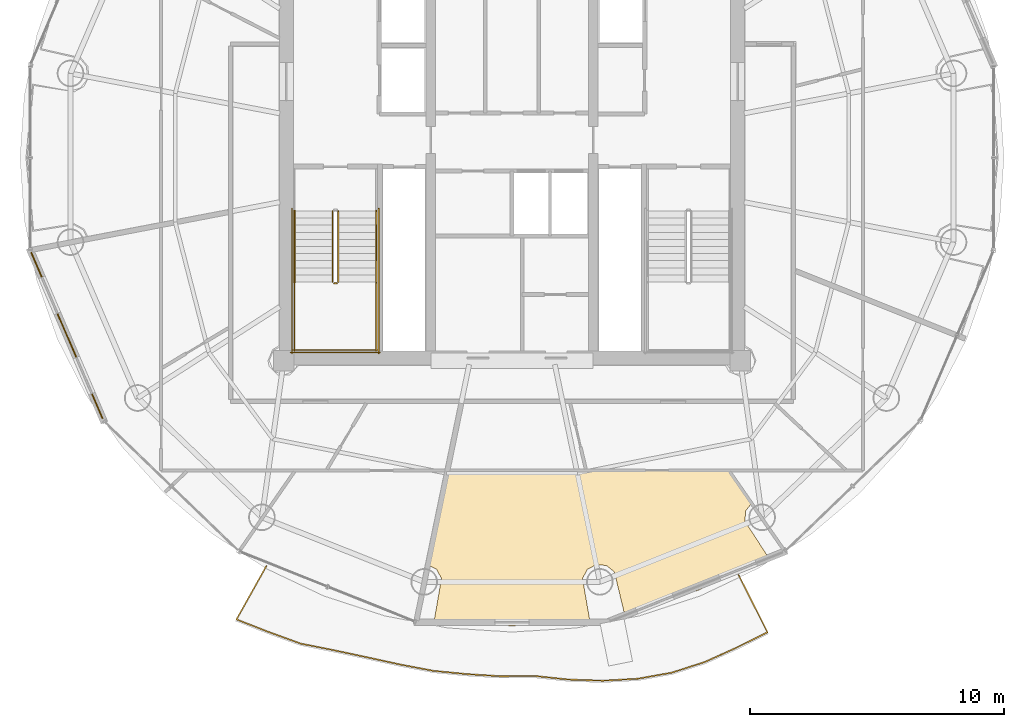
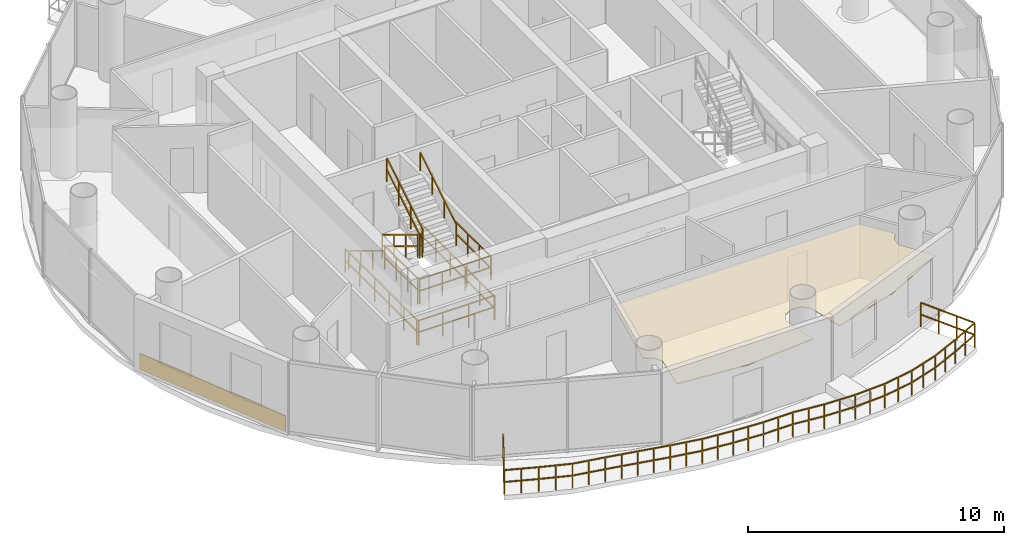
# One storey, part 21 of 23: 12 railings, 2 coverings.
"""IFC4 building model written with IfcOpenShell, lengths in metres."""

from ifc_helpers import new_model, si_unit, direction, frame, origin, origin_2d, place, context, subcontext, project, spatial, polyline, rectangle, outline, extrude, source, transform, mapped, material, layer, layer_set, type_object, element, save


model = new_model("IFC4")

# Units and contexts
model_context = context("Model", 3, precision=1e-05, world=origin(), true_north=direction((-0.2419218956, 0.970295726276)))
body_context = subcontext(model_context, "Body", "Model", "MODEL_VIEW")
ifc_project = project(units=[si_unit("LENGTHUNIT", "METRE"), si_unit("AREAUNIT", "SQUARE_METRE"), si_unit("VOLUMEUNIT", "CUBIC_METRE"), si_unit("PLANEANGLEUNIT", "RADIAN"), si_unit("MASSUNIT", "GRAM", prefix="KILO")], contexts=[model_context])

# Site, building, storey
site_placement = place(None, origin())
site = spatial("IfcSite", under=ifc_project, at=site_placement, CompositionType="ELEMENT")
building_placement = place(site_placement, origin())
building = spatial("IfcBuilding", under=site, at=building_placement, Name="Cobrevalo Terracotta Tower", CompositionType="ELEMENT")
storey_placement = place(building_placement, frame((0.0, 0.0, 255.699951171875)))
storey = spatial("IfcBuildingStorey", under=building, at=storey_placement, Name="L67", CompositionType="ELEMENT", Elevation=255.699951171875)

# Railing
ifc_material_1 = material(Name="Laminated structural glass and stainless steel", Category="steel")
railing_type_1 = type_object("IfcRailingType", Name="Balcony lobe structural glass & terracotta-cap balustrade 1180 mm", PredefinedType="BALUSTRADE", material=ifc_material_1)
railing_1_placement = place(storey_placement, frame((28.314208984375, 10.703125, 0.0)))
element("IfcRailing", 1, at=railing_1_placement, inside=storey, type_object=railing_type_1, Name="L67 spiralling balcony lobe balustrade 2", PredefinedType="BALUSTRADE", context=body_context, shape_type="SweptSolid", body=[
    extrude(rectangle(XDim=0.048095703125, YDim=0.048095703125, at=origin_2d()), frame((0.0, 0.0, 1.15576171875), z_axis=(-0.488097997319, -0.872788831856, 0.0), x_axis=(0.872788831856, -0.488097997319, 0.0)), (0.0, 0.0, 1.0), 2.412841796875),
    extrude(rectangle(XDim=0.048095703125, YDim=0.048095703125, at=origin_2d()), frame((0.0, 0.0, 0.58984375), z_axis=(-0.488097997319, -0.872788831856, 0.0), x_axis=(0.872788831856, -0.488097997319, 0.0)), (0.0, 0.0, 1.0), 2.412841796875),
    extrude(rectangle(XDim=0.048095703125, YDim=0.048095703125, at=origin_2d()), frame((-1.177734375, -2.10595703125, 1.15576171875), z_axis=(0.931152646529, -0.364629605026, 0.0), x_axis=(0.364629605026, 0.931152646529, 0.0)), (0.0, 0.0, 1.0), 1.359130859375),
    extrude(rectangle(XDim=0.048095703125, YDim=0.048095703125, at=origin_2d()), frame((-1.177734375, -2.10595703125, 0.58984375), z_axis=(0.931152646529, -0.364629605026, 0.0), x_axis=(0.364629605026, 0.931152646529, 0.0)), (0.0, 0.0, 1.0), 1.359130859375),
    extrude(rectangle(XDim=0.048095703125, YDim=0.048095703125, at=origin_2d()), frame((0.087890625, -2.6015625, 1.15576171875), z_axis=(0.940078731744, -0.340957443273, 0.0), x_axis=(0.340957443273, 0.940078731744, 0.0)), (0.0, 0.0, 1.0), 1.34765625),
    extrude(rectangle(XDim=0.048095703125, YDim=0.048095703125, at=origin_2d()), frame((0.087890625, -2.6015625, 0.58984375), z_axis=(0.940078731744, -0.340957443273, 0.0), x_axis=(0.340957443273, 0.940078731744, 0.0)), (0.0, 0.0, 1.0), 1.34765625),
    extrude(rectangle(XDim=0.048095703125, YDim=0.048095703125, at=origin_2d()), frame((1.354736328125, -3.06103515625, 1.15576171875), z_axis=(0.980691436418, -0.195561515992, 0.0), x_axis=(0.195561515992, 0.980691436418, 0.0)), (0.0, 0.0, 1.0), 1.3544921875),
    extrude(rectangle(XDim=0.048095703125, YDim=0.048095703125, at=origin_2d()), frame((1.354736328125, -3.06103515625, 0.58984375), z_axis=(0.980691436418, -0.195561515992, 0.0), x_axis=(0.195561515992, 0.980691436418, 0.0)), (0.0, 0.0, 1.0), 1.3544921875),
    extrude(rectangle(XDim=0.048095703125, YDim=0.048095703125, at=origin_2d()), frame((2.68310546875, -3.325927734375, 1.15576171875), z_axis=(0.978008277413, -0.208566079006, 0.0), x_axis=(0.208566079006, 0.978008277413, 0.0)), (0.0, 0.0, 1.0), 1.333251953125),
    extrude(rectangle(XDim=0.048095703125, YDim=0.048095703125, at=origin_2d()), frame((2.68310546875, -3.325927734375, 0.58984375), z_axis=(0.978008277413, -0.208566079006, 0.0), x_axis=(0.208566079006, 0.978008277413, 0.0)), (0.0, 0.0, 1.0), 1.333251953125),
    extrude(rectangle(XDim=0.048095703125, YDim=0.048095703125, at=origin_2d()), frame((3.987060546875, -3.60400390625, 1.15576171875), z_axis=(0.977054815083, -0.212988000422, 0.0), x_axis=(0.212988000422, 0.977054815083, 0.0)), (0.0, 0.0, 1.0), 1.3251953125),
    extrude(rectangle(XDim=0.048095703125, YDim=0.048095703125, at=origin_2d()), frame((3.987060546875, -3.60400390625, 0.58984375), z_axis=(0.977054815083, -0.212988000422, 0.0), x_axis=(0.212988000422, 0.977054815083, 0.0)), (0.0, 0.0, 1.0), 1.3251953125),
    extrude(rectangle(XDim=0.048095703125, YDim=0.048095703125, at=origin_2d()), frame((5.28173828125, -3.88623046875, 1.15576171875), z_axis=(0.982370761762, -0.186943003175, 0.0), x_axis=(0.186943003175, 0.982370761762, 0.0)), (0.0, 0.0, 1.0), 1.326904296875),
    extrude(rectangle(XDim=0.048095703125, YDim=0.048095703125, at=origin_2d()), frame((5.28173828125, -3.88623046875, 0.58984375), z_axis=(0.982370761762, -0.186943003175, 0.0), x_axis=(0.186943003175, 0.982370761762, 0.0)), (0.0, 0.0, 1.0), 1.326904296875),
    extrude(rectangle(XDim=0.048095703125, YDim=0.048095703125, at=origin_2d()), frame((6.585205078125, -4.13427734375, 1.15576171875), z_axis=(0.995208872191, -0.097771676435, 0.0), x_axis=(0.097771676435, 0.995208872191, 0.0)), (0.0, 0.0, 1.0), 1.325927734375),
    extrude(rectangle(XDim=0.048095703125, YDim=0.048095703125, at=origin_2d()), frame((6.585205078125, -4.13427734375, 0.58984375), z_axis=(0.995208872191, -0.097771676435, 0.0), x_axis=(0.097771676435, 0.995208872191, 0.0)), (0.0, 0.0, 1.0), 1.325927734375),
    extrude(rectangle(XDim=0.048095703125, YDim=0.048095703125, at=origin_2d()), frame((7.90478515625, -4.263916015625, 1.15576171875), z_axis=(0.998078956185, -0.061954799822, 0.0), x_axis=(0.061954799822, 0.998078956185, 0.0)), (0.0, 0.0, 1.0), 1.327880859375),
    extrude(rectangle(XDim=0.048095703125, YDim=0.048095703125, at=origin_2d()), frame((7.90478515625, -4.263916015625, 0.58984375), z_axis=(0.998078956185, -0.061954799822, 0.0), x_axis=(0.061954799822, 0.998078956185, 0.0)), (0.0, 0.0, 1.0), 1.327880859375),
    extrude(rectangle(XDim=0.048095703125, YDim=0.048095703125, at=origin_2d()), frame((9.230224609375, -4.34619140625, 1.15576171875), z_axis=(0.999955928065, 0.009388393286, 0.0), x_axis=(-0.009388393286, 0.999955928065, 0.0)), (0.0, 0.0, 1.0), 1.326171875),
    extrude(rectangle(XDim=0.048095703125, YDim=0.048095703125, at=origin_2d()), frame((9.230224609375, -4.34619140625, 0.58984375), z_axis=(0.999955928065, 0.009388393286, 0.0), x_axis=(-0.009388393286, 0.999955928065, 0.0)), (0.0, 0.0, 1.0), 1.326171875),
    extrude(rectangle(XDim=0.048095703125, YDim=0.048095703125, at=origin_2d()), frame((10.556396484375, -4.333740234375, 1.15576171875), z_axis=(0.994331591514, -0.106323497482, 0.0), x_axis=(0.106323497482, 0.994331591514, 0.0)), (0.0, 0.0, 1.0), 1.357177734375),
    extrude(rectangle(XDim=0.048095703125, YDim=0.048095703125, at=origin_2d()), frame((10.556396484375, -4.333740234375, 0.58984375), z_axis=(0.994331591514, -0.106323497482, 0.0), x_axis=(0.106323497482, 0.994331591514, 0.0)), (0.0, 0.0, 1.0), 1.357177734375),
    extrude(rectangle(XDim=0.048095703125, YDim=0.048095703125, at=origin_2d()), frame((11.90576171875, -4.47802734375, 1.15576171875), z_axis=(0.99946419072, -0.032731200233, 0.0), x_axis=(0.032731200233, 0.99946419072, 0.0)), (0.0, 0.0, 1.0), 1.364990234375),
    extrude(rectangle(XDim=0.048095703125, YDim=0.048095703125, at=origin_2d()), frame((11.90576171875, -4.47802734375, 0.58984375), z_axis=(0.99946419072, -0.032731200233, 0.0), x_axis=(0.032731200233, 0.99946419072, 0.0)), (0.0, 0.0, 1.0), 1.364990234375),
    extrude(rectangle(XDim=0.048095703125, YDim=0.048095703125, at=origin_2d()), frame((13.27001953125, -4.522705078125, 1.15576171875), z_axis=(0.99845269063, 0.055607774407, 0.0), x_axis=(-0.055607774407, 0.99845269063, 0.0)), (0.0, 0.0, 1.0), 1.374267578125),
    extrude(rectangle(XDim=0.048095703125, YDim=0.048095703125, at=origin_2d()), frame((13.27001953125, -4.522705078125, 0.58984375), z_axis=(0.99845269063, 0.055607774407, 0.0), x_axis=(-0.055607774407, 0.99845269063, 0.0)), (0.0, 0.0, 1.0), 1.374267578125),
    extrude(rectangle(XDim=0.048095703125, YDim=0.048095703125, at=origin_2d()), frame((14.64208984375, -4.4462890625, 1.15576171875), z_axis=(0.9843537128, 0.17620376868, 0.0), x_axis=(-0.17620376868, 0.9843537128, 0.0)), (0.0, 0.0, 1.0), 1.370361328125),
    extrude(rectangle(XDim=0.048095703125, YDim=0.048095703125, at=origin_2d()), frame((14.64208984375, -4.4462890625, 0.58984375), z_axis=(0.9843537128, 0.17620376868, 0.0), x_axis=(-0.17620376868, 0.9843537128, 0.0)), (0.0, 0.0, 1.0), 1.370361328125),
    extrude(rectangle(XDim=0.048095703125, YDim=0.048095703125, at=origin_2d()), frame((15.990966796875, -4.204833984375, 1.15576171875), z_axis=(0.951372404124, 0.308043095477, 0.0), x_axis=(-0.308043095477, 0.951372404124, 0.0)), (0.0, 0.0, 1.0), 1.37109375),
    extrude(rectangle(XDim=0.048095703125, YDim=0.048095703125, at=origin_2d()), frame((15.990966796875, -4.204833984375, 0.58984375), z_axis=(0.951372404124, 0.308043095477, 0.0), x_axis=(-0.308043095477, 0.951372404124, 0.0)), (0.0, 0.0, 1.0), 1.37109375),
    extrude(rectangle(XDim=0.048095703125, YDim=0.048095703125, at=origin_2d()), frame((17.29541015625, -3.782470703125, 1.15576171875), z_axis=(0.911111116227, 0.412160810712, 0.0), x_axis=(-0.412160810712, 0.911111116227, 0.0)), (0.0, 0.0, 1.0), 1.3671875),
    extrude(rectangle(XDim=0.048095703125, YDim=0.048095703125, at=origin_2d()), frame((17.29541015625, -3.782470703125, 0.58984375), z_axis=(0.911111116227, 0.412160810712, 0.0), x_axis=(-0.412160810712, 0.911111116227, 0.0)), (0.0, 0.0, 1.0), 1.3671875),
    extrude(rectangle(XDim=0.048095703125, YDim=0.048095703125, at=origin_2d()), frame((18.541015625, -3.218994140625, 1.15576171875), z_axis=(0.895178026119, 0.445708763155, 0.0), x_axis=(-0.445708763155, 0.895178026119, 0.0)), (0.0, 0.0, 1.0), 1.36328125),
    extrude(rectangle(XDim=0.048095703125, YDim=0.048095703125, at=origin_2d()), frame((18.541015625, -3.218994140625, 0.58984375), z_axis=(0.895178026119, 0.445708763155, 0.0), x_axis=(-0.445708763155, 0.895178026119, 0.0)), (0.0, 0.0, 1.0), 1.36328125),
    extrude(rectangle(XDim=0.048095703125, YDim=0.048095703125, at=origin_2d()), frame((19.761474609375, -2.611328125, 1.15576171875), z_axis=(-0.45061781463, 0.892716968103, 0.0), x_axis=(-0.892716968103, -0.45061781463, 0.0)), (0.0, 0.0, 1.0), 2.52197265625),
    extrude(rectangle(XDim=0.048095703125, YDim=0.048095703125, at=origin_2d()), frame((19.761474609375, -2.611328125, 0.58984375), z_axis=(-0.45061781463, 0.892716968103, 0.0), x_axis=(-0.892716968103, -0.45061781463, 0.0)), (0.0, 0.0, 1.0), 2.52197265625),
    extrude(rectangle(XDim=0.0419921875, YDim=0.0419921875, at=origin_2d()), origin(), (0.0, 0.0, 1.0), 1.1318359375),
    extrude(rectangle(XDim=0.0419921875, YDim=0.0419921875, at=origin_2d()), frame((-0.392578125, -0.701904296875, 0.0)), (0.0, 0.0, 1.0), 1.1318359375),
    extrude(rectangle(XDim=0.0419921875, YDim=0.0419921875, at=origin_2d()), frame((-0.78515625, -1.404052734375, 0.0)), (0.0, 0.0, 1.0), 1.1318359375),
    extrude(rectangle(XDim=0.0419921875, YDim=0.0419921875, at=origin_2d()), frame((-1.177734375, -2.10595703125, 0.0)), (0.0, 0.0, 1.0), 1.1318359375),
    extrude(rectangle(XDim=0.0419921875, YDim=0.0419921875, at=origin_2d()), frame((-0.544921875, -2.353759765625, 0.0)), (0.0, 0.0, 1.0), 1.1318359375),
    extrude(rectangle(XDim=0.0419921875, YDim=0.0419921875, at=origin_2d()), frame((0.087890625, -2.6015625, 0.0)), (0.0, 0.0, 1.0), 1.1318359375),
    extrude(rectangle(XDim=0.0419921875, YDim=0.0419921875, at=origin_2d()), frame((0.72119140625, -2.831298828125, 0.0)), (0.0, 0.0, 1.0), 1.1318359375),
    extrude(rectangle(XDim=0.0419921875, YDim=0.0419921875, at=origin_2d()), frame((1.354736328125, -3.06103515625, 0.0)), (0.0, 0.0, 1.0), 1.1318359375),
    extrude(rectangle(XDim=0.0419921875, YDim=0.0419921875, at=origin_2d()), frame((2.01904296875, -3.193359375, 0.0)), (0.0, 0.0, 1.0), 1.1318359375),
    extrude(rectangle(XDim=0.0419921875, YDim=0.0419921875, at=origin_2d()), frame((2.68310546875, -3.325927734375, 0.0)), (0.0, 0.0, 1.0), 1.1318359375),
    extrude(rectangle(XDim=0.0419921875, YDim=0.0419921875, at=origin_2d()), frame((3.3349609375, -3.46484375, 0.0)), (0.0, 0.0, 1.0), 1.1318359375),
    extrude(rectangle(XDim=0.0419921875, YDim=0.0419921875, at=origin_2d()), frame((3.987060546875, -3.60400390625, 0.0)), (0.0, 0.0, 1.0), 1.1318359375),
    extrude(rectangle(XDim=0.0419921875, YDim=0.0419921875, at=origin_2d()), frame((4.63427734375, -3.7451171875, 0.0)), (0.0, 0.0, 1.0), 1.1318359375),
    extrude(rectangle(XDim=0.0419921875, YDim=0.0419921875, at=origin_2d()), frame((5.28173828125, -3.88623046875, 0.0)), (0.0, 0.0, 1.0), 1.1318359375),
    extrude(rectangle(XDim=0.0419921875, YDim=0.0419921875, at=origin_2d()), frame((5.93359375, -4.01025390625, 0.0)), (0.0, 0.0, 1.0), 1.1318359375),
    extrude(rectangle(XDim=0.0419921875, YDim=0.0419921875, at=origin_2d()), frame((6.585205078125, -4.13427734375, 0.0)), (0.0, 0.0, 1.0), 1.1318359375),
    extrude(rectangle(XDim=0.0419921875, YDim=0.0419921875, at=origin_2d()), frame((7.2451171875, -4.19921875, 0.0)), (0.0, 0.0, 1.0), 1.1318359375),
    extrude(rectangle(XDim=0.0419921875, YDim=0.0419921875, at=origin_2d()), frame((7.90478515625, -4.263916015625, 0.0)), (0.0, 0.0, 1.0), 1.1318359375),
    extrude(rectangle(XDim=0.0419921875, YDim=0.0419921875, at=origin_2d()), frame((8.5673828125, -4.30517578125, 0.0)), (0.0, 0.0, 1.0), 1.1318359375),
    extrude(rectangle(XDim=0.0419921875, YDim=0.0419921875, at=origin_2d()), frame((9.230224609375, -4.34619140625, 0.0)), (0.0, 0.0, 1.0), 1.1318359375),
    extrude(rectangle(XDim=0.0419921875, YDim=0.0419921875, at=origin_2d()), frame((9.893310546875, -4.33984375, 0.0)), (0.0, 0.0, 1.0), 1.1318359375),
    extrude(rectangle(XDim=0.0419921875, YDim=0.0419921875, at=origin_2d()), frame((10.556396484375, -4.333740234375, 0.0)), (0.0, 0.0, 1.0), 1.1318359375),
    extrude(rectangle(XDim=0.0419921875, YDim=0.0419921875, at=origin_2d()), frame((11.23095703125, -4.40576171875, 0.0)), (0.0, 0.0, 1.0), 1.1318359375),
    extrude(rectangle(XDim=0.0419921875, YDim=0.0419921875, at=origin_2d()), frame((11.90576171875, -4.47802734375, 0.0)), (0.0, 0.0, 1.0), 1.1318359375),
    extrude(rectangle(XDim=0.0419921875, YDim=0.0419921875, at=origin_2d()), frame((12.587890625, -4.50048828125, 0.0)), (0.0, 0.0, 1.0), 1.1318359375),
    extrude(rectangle(XDim=0.0419921875, YDim=0.0419921875, at=origin_2d()), frame((13.27001953125, -4.522705078125, 0.0)), (0.0, 0.0, 1.0), 1.1318359375),
    extrude(rectangle(XDim=0.0419921875, YDim=0.0419921875, at=origin_2d()), frame((13.9560546875, -4.484375, 0.0)), (0.0, 0.0, 1.0), 1.1318359375),
    extrude(rectangle(XDim=0.0419921875, YDim=0.0419921875, at=origin_2d()), frame((14.64208984375, -4.4462890625, 0.0)), (0.0, 0.0, 1.0), 1.1318359375),
    extrude(rectangle(XDim=0.0419921875, YDim=0.0419921875, at=origin_2d()), frame((15.31640625, -4.32568359375, 0.0)), (0.0, 0.0, 1.0), 1.1318359375),
    extrude(rectangle(XDim=0.0419921875, YDim=0.0419921875, at=origin_2d()), frame((15.990966796875, -4.204833984375, 0.0)), (0.0, 0.0, 1.0), 1.1318359375),
    extrude(rectangle(XDim=0.0419921875, YDim=0.0419921875, at=origin_2d()), frame((16.64306640625, -3.99365234375, 0.0)), (0.0, 0.0, 1.0), 1.1318359375),
    extrude(rectangle(XDim=0.0419921875, YDim=0.0419921875, at=origin_2d()), frame((17.29541015625, -3.782470703125, 0.0)), (0.0, 0.0, 1.0), 1.1318359375),
    extrude(rectangle(XDim=0.0419921875, YDim=0.0419921875, at=origin_2d()), frame((17.918212890625, -3.500732421875, 0.0)), (0.0, 0.0, 1.0), 1.1318359375),
    extrude(rectangle(XDim=0.0419921875, YDim=0.0419921875, at=origin_2d()), frame((18.541015625, -3.218994140625, 0.0)), (0.0, 0.0, 1.0), 1.1318359375),
    extrude(rectangle(XDim=0.0419921875, YDim=0.0419921875, at=origin_2d()), frame((19.1513671875, -2.9150390625, 0.0)), (0.0, 0.0, 1.0), 1.1318359375),
    extrude(rectangle(XDim=0.0419921875, YDim=0.0419921875, at=origin_2d()), frame((19.761474609375, -2.611328125, 0.0)), (0.0, 0.0, 1.0), 1.1318359375),
    extrude(rectangle(XDim=0.0419921875, YDim=0.0419921875, at=origin_2d()), frame((19.382568359375, -1.86083984375, 0.0)), (0.0, 0.0, 1.0), 1.1318359375),
    extrude(rectangle(XDim=0.0419921875, YDim=0.0419921875, at=origin_2d()), frame((19.00390625, -1.1103515625, 0.0)), (0.0, 0.0, 1.0), 1.1318359375),
    extrude(rectangle(XDim=0.0419921875, YDim=0.0419921875, at=origin_2d()), frame((18.625, -0.35986328125, 0.0)), (0.0, 0.0, 1.0), 1.1318359375),
])

# Covering
ifc_material_2 = material(Name="Acoustic perforated gypsum ceiling", Category="gypsum")
ifc_layer_1 = layer(ifc_material_2, 0.050048828125)
ifc_layer_set_1 = layer_set([ifc_layer_1], Name="Acoustic perforated gypsum ceiling")
covering_type_1 = type_object("IfcCoveringType", Name="Perforated Acoustic Gypsum Ceiling 50", PredefinedType="CEILING", material=ifc_layer_set_1)
covering_1_placement = place(storey_placement, frame((0.0, 0.0, 2.5)))
element("IfcCovering", 2, at=covering_1_placement, inside=storey, type_object=covering_type_1, Name="Flat L67C Living and Dining Room acoustic ceiling", PredefinedType="CEILING", context=body_context, shape_type="SweptSolid", body=[
    extrude(outline(polyline([(45.333740234375, 9.740478515625), (42.424560546875, 8.861328125), (42.03759765625, 10.46826171875), (41.7236328125, 10.7216796875), (41.322021484375, 10.758056640625), (40.9677734375, 10.565185546875), (40.7802734375, 10.207763671875), (41.05908203125, 8.599853515625), (38.0, 8.3349609375), (34.94091796875, 8.599853515625), (35.2197265625, 10.207763671875), (35.0322265625, 10.565185546875), (34.6650390625, 10.76220703125), (35.43408203125, 14.489990234375), (46.563720703125, 14.489990234375), (47.462890625, 13.192626953125), (47.214599609375, 12.877197265625), (47.1826171875, 12.47509765625), (48.062255859375, 11.11767578125), (45.333740234375, 9.740478515625)])), origin(), (0.0, 0.0, 1.0), 0.050048828125),
])

# Railings
ifc_material_3 = material(Name="Brushed stainless steel", Category="steel")
railing_type_2 = type_object("IfcRailingType", Name="Stainless Steel Stair Handrail 900", PredefinedType="HANDRAIL", material=ifc_material_3)
railing_2_placement = place(storey_placement, frame((29.425048828125, 24.699951171875, 0.17041015625)))
element("IfcRailing", 3, at=railing_2_placement, inside=storey, type_object=railing_type_2, Name="L67 ST-1 stair handrail 1", PredefinedType="HANDRAIL", context=body_context, shape_type="SweptSolid", body=[
    extrude(rectangle(XDim=0.048095703125, YDim=0.048095703125, at=origin_2d()), frame((0.0, 0.0, 0.8759765625), z_axis=(0.0, -0.854169791009, 0.51999420009), x_axis=(1.0, 0.0, 0.0)), (0.0, 0.0, 1.0), 3.278076171875),
    extrude(rectangle(XDim=0.0419921875, YDim=0.0419921875, at=origin_2d()), origin(), (0.0, 0.0, 1.0), 0.851806640625),
    extrude(rectangle(XDim=0.0419921875, YDim=0.0419921875, at=origin_2d()), frame((0.0, -0.933349609375, 0.568115234375)), (0.0, 0.0, 1.0), 0.851806640625),
    extrude(rectangle(XDim=0.0419921875, YDim=0.0419921875, at=origin_2d()), frame((0.0, -1.86669921875, 1.136474609375)), (0.0, 0.0, 1.0), 0.851806640625),
    extrude(rectangle(XDim=0.0419921875, YDim=0.0419921875, at=origin_2d()), frame((0.0, -2.800048828125, 1.70458984375)), (0.0, 0.0, 1.0), 0.851806640625),
])
railing_3_placement = place(storey_placement, frame((32.64501953125, 21.89990234375, 2.04541015625)))
element("IfcRailing", 4, at=railing_3_placement, inside=storey, type_object=railing_type_2, Name="L67 ST-1 stair handrail 2", PredefinedType="HANDRAIL", context=body_context, shape_type="SweptSolid", body=[
    extrude(rectangle(XDim=0.048095703125, YDim=0.048095703125, at=origin_2d()), frame((0.0, 0.0, 0.8759765625), z_axis=(0.0, 0.854169791009, 0.51999420009), x_axis=(-1.0, 0.0, 0.0)), (0.0, 0.0, 1.0), 3.278076171875),
    extrude(rectangle(XDim=0.0419921875, YDim=0.0419921875, at=origin_2d()), origin(), (0.0, 0.0, 1.0), 0.851806640625),
    extrude(rectangle(XDim=0.0419921875, YDim=0.0419921875, at=origin_2d()), frame((0.0, 0.933349609375, 0.568115234375)), (0.0, 0.0, 1.0), 0.851806640625),
    extrude(rectangle(XDim=0.0419921875, YDim=0.0419921875, at=origin_2d()), frame((0.0, 1.86669921875, 1.136474609375)), (0.0, 0.0, 1.0), 0.851806640625),
    extrude(rectangle(XDim=0.0419921875, YDim=0.0419921875, at=origin_2d()), frame((0.0, 2.800048828125, 1.70458984375)), (0.0, 0.0, 1.0), 0.851806640625),
])
ifc_material_4 = material(Name="Painted galvanized steel", Category="steel")
railing_type_3 = type_object("IfcRailingType", Name="Stair Well Guard Balustrade 1150", PredefinedType="GUARDRAIL", material=ifc_material_4)
railing_4_placement = place(storey_placement, frame((30.925048828125, 24.699951171875, 0.17041015625)))
element("IfcRailing", 5, at=railing_4_placement, inside=storey, type_object=railing_type_3, Name="L67 ST-1 stair guard 1", PredefinedType="GUARDRAIL", context=body_context, shape_type="SweptSolid", body=[
    extrude(rectangle(XDim=0.048095703125, YDim=0.048095703125, at=origin_2d()), frame((0.0, 0.0, 1.1259765625), z_axis=(0.0, -0.854169791009, 0.51999420009), x_axis=(1.0, 0.0, 0.0)), (0.0, 0.0, 1.0), 3.278076171875),
    extrude(rectangle(XDim=0.048095703125, YDim=0.048095703125, at=origin_2d()), frame((0.0, 0.0, 0.574951171875), z_axis=(0.0, -0.854169791009, 0.51999420009), x_axis=(1.0, 0.0, 0.0)), (0.0, 0.0, 1.0), 3.278076171875),
    extrude(rectangle(XDim=0.0419921875, YDim=0.0419921875, at=origin_2d()), origin(), (0.0, 0.0, 1.0), 1.101806640625),
    extrude(rectangle(XDim=0.0419921875, YDim=0.0419921875, at=origin_2d()), frame((0.0, -0.933349609375, 0.568115234375)), (0.0, 0.0, 1.0), 1.101806640625),
    extrude(rectangle(XDim=0.0419921875, YDim=0.0419921875, at=origin_2d()), frame((0.0, -1.86669921875, 1.136474609375)), (0.0, 0.0, 1.0), 1.101806640625),
    extrude(rectangle(XDim=0.0419921875, YDim=0.0419921875, at=origin_2d()), frame((0.0, -2.800048828125, 1.70458984375)), (0.0, 0.0, 1.0), 1.101806640625),
])
railing_5_placement = place(storey_placement, frame((30.97509765625, 21.85009765625, 1.875)))
element("IfcRailing", 6, at=railing_5_placement, inside=storey, type_object=railing_type_3, Name="L67 ST-1 stair guard 2", PredefinedType="GUARDRAIL", context=body_context, shape_type="SweptSolid", body=[
    extrude(rectangle(XDim=0.048095703125, YDim=0.048095703125, at=origin_2d()), frame((0.0, 0.0, 1.1259765625), z_axis=(1.0, 0.0, 0.0), x_axis=(0.0, 1.0, 0.0)), (0.0, 0.0, 1.0), 0.119873046875),
    extrude(rectangle(XDim=0.048095703125, YDim=0.048095703125, at=origin_2d()), frame((0.0, 0.0, 0.574951171875), z_axis=(1.0, 0.0, 0.0), x_axis=(0.0, 1.0, 0.0)), (0.0, 0.0, 1.0), 0.119873046875),
    extrude(rectangle(XDim=0.0419921875, YDim=0.0419921875, at=origin_2d()), origin(), (0.0, 0.0, 1.0), 1.101806640625),
    extrude(rectangle(XDim=0.0419921875, YDim=0.0419921875, at=origin_2d()), frame((0.119873046875, 0.0, 0.0)), (0.0, 0.0, 1.0), 1.101806640625),
])
for number, where, name in (
    (7, (29.425048828125, 21.89990234375, 1.875), "L67 ST-1 stair guard 3"),
    (8, (32.64501953125, 21.89990234375, 1.875), "L67 ST-1 stair guard 4"),
):
    element("IfcRailing", number, at=place(storey_placement, frame(where)), inside=storey, type_object=railing_type_3, Name=name, PredefinedType="GUARDRAIL", context=body_context, shape_type="SweptSolid", body=[
        extrude(rectangle(XDim=0.048095703125, YDim=0.048095703125, at=origin_2d()), frame((0.0, 0.0, 1.1259765625), z_axis=(0.0, -1.0, 0.0), x_axis=(1.0, 0.0, 0.0)), (0.0, 0.0, 1.0), 2.724853515625),
        extrude(rectangle(XDim=0.048095703125, YDim=0.048095703125, at=origin_2d()), frame((0.0, 0.0, 0.574951171875), z_axis=(0.0, -1.0, 0.0), x_axis=(1.0, 0.0, 0.0)), (0.0, 0.0, 1.0), 2.724853515625),
        extrude(rectangle(XDim=0.0419921875, YDim=0.0419921875, at=origin_2d()), origin(), (0.0, 0.0, 1.0), 1.101806640625),
        extrude(rectangle(XDim=0.0419921875, YDim=0.0419921875, at=origin_2d()), frame((0.0, -0.908203125, 0.0)), (0.0, 0.0, 1.0), 1.101806640625),
        extrude(rectangle(XDim=0.0419921875, YDim=0.0419921875, at=origin_2d()), frame((0.0, -1.816650390625, 0.0)), (0.0, 0.0, 1.0), 1.101806640625),
        extrude(rectangle(XDim=0.0419921875, YDim=0.0419921875, at=origin_2d()), frame((0.0, -2.724853515625, 0.0)), (0.0, 0.0, 1.0), 1.101806640625),
    ])
railing_6_placement = place(storey_placement, frame((29.375, 19.22509765625, 1.875)))
element("IfcRailing", 9, at=railing_6_placement, inside=storey, type_object=railing_type_3, Name="L67 ST-1 stair guard 5", PredefinedType="GUARDRAIL", context=body_context, shape_type="SweptSolid", body=[
    extrude(rectangle(XDim=0.048095703125, YDim=0.048095703125, at=origin_2d()), frame((0.0, 0.0, 1.1259765625), z_axis=(1.0, 0.0, 0.0), x_axis=(0.0, 1.0, 0.0)), (0.0, 0.0, 1.0), 3.320068359375),
    extrude(rectangle(XDim=0.048095703125, YDim=0.048095703125, at=origin_2d()), frame((0.0, 0.0, 0.574951171875), z_axis=(1.0, 0.0, 0.0), x_axis=(0.0, 1.0, 0.0)), (0.0, 0.0, 1.0), 3.320068359375),
    extrude(rectangle(XDim=0.0419921875, YDim=0.0419921875, at=origin_2d()), origin(), (0.0, 0.0, 1.0), 1.101806640625),
    extrude(rectangle(XDim=0.0419921875, YDim=0.0419921875, at=origin_2d()), frame((1.106689453125, 0.0, 0.0)), (0.0, 0.0, 1.0), 1.101806640625),
    extrude(rectangle(XDim=0.0419921875, YDim=0.0419921875, at=origin_2d()), frame((2.21337890625, 0.0, 0.0)), (0.0, 0.0, 1.0), 1.101806640625),
    extrude(rectangle(XDim=0.0419921875, YDim=0.0419921875, at=origin_2d()), frame((3.320068359375, 0.0, 0.0)), (0.0, 0.0, 1.0), 1.101806640625),
])
railing_7_placement = place(storey_placement, frame((31.14501953125, 21.89990234375, 2.04541015625)))
element("IfcRailing", 10, at=railing_7_placement, inside=storey, type_object=railing_type_3, Name="L67 ST-1 stair guard 6", PredefinedType="GUARDRAIL", context=body_context, shape_type="SweptSolid", body=[
    extrude(rectangle(XDim=0.048095703125, YDim=0.048095703125, at=origin_2d()), frame((0.0, 0.0, 1.1259765625), z_axis=(0.0, 0.854169791009, 0.51999420009), x_axis=(-1.0, 0.0, 0.0)), (0.0, 0.0, 1.0), 3.278076171875),
    extrude(rectangle(XDim=0.048095703125, YDim=0.048095703125, at=origin_2d()), frame((0.0, 0.0, 0.574951171875), z_axis=(0.0, 0.854169791009, 0.51999420009), x_axis=(-1.0, 0.0, 0.0)), (0.0, 0.0, 1.0), 3.278076171875),
    extrude(rectangle(XDim=0.0419921875, YDim=0.0419921875, at=origin_2d()), origin(), (0.0, 0.0, 1.0), 1.101806640625),
    extrude(rectangle(XDim=0.0419921875, YDim=0.0419921875, at=origin_2d()), frame((0.0, 0.933349609375, 0.568115234375)), (0.0, 0.0, 1.0), 1.101806640625),
    extrude(rectangle(XDim=0.0419921875, YDim=0.0419921875, at=origin_2d()), frame((0.0, 1.86669921875, 1.136474609375)), (0.0, 0.0, 1.0), 1.101806640625),
    extrude(rectangle(XDim=0.0419921875, YDim=0.0419921875, at=origin_2d()), frame((0.0, 2.800048828125, 1.70458984375)), (0.0, 0.0, 1.0), 1.101806640625),
])
for number, where, name in (
    (11, (29.324951171875, 24.800048828125, 0.0), "L67 ST-1 stair guard 10"),
    (12, (32.7451171875, 24.800048828125, 0.0), "L67 ST-1 stair guard 11"),
):
    element("IfcRailing", number, at=place(storey_placement, frame(where)), inside=storey, type_object=railing_type_3, Name=name, PredefinedType="GUARDRAIL", context=body_context, shape_type="SweptSolid", body=[
        extrude(rectangle(XDim=0.048095703125, YDim=0.048095703125, at=origin_2d()), frame((0.0, 0.0, 1.1259765625), z_axis=(0.0, -1.0, 0.0), x_axis=(1.0, 0.0, 0.0)), (0.0, 0.0, 1.0), 5.72509765625),
        extrude(rectangle(XDim=0.048095703125, YDim=0.048095703125, at=origin_2d()), frame((0.0, 0.0, 0.574951171875), z_axis=(0.0, -1.0, 0.0), x_axis=(1.0, 0.0, 0.0)), (0.0, 0.0, 1.0), 5.72509765625),
        extrude(rectangle(XDim=0.0419921875, YDim=0.0419921875, at=origin_2d()), origin(), (0.0, 0.0, 1.0), 1.101806640625),
        extrude(rectangle(XDim=0.0419921875, YDim=0.0419921875, at=origin_2d()), frame((0.0, -1.14501953125, 0.0)), (0.0, 0.0, 1.0), 1.101806640625),
        extrude(rectangle(XDim=0.0419921875, YDim=0.0419921875, at=origin_2d()), frame((0.0, -2.2900390625, 0.0)), (0.0, 0.0, 1.0), 1.101806640625),
        extrude(rectangle(XDim=0.0419921875, YDim=0.0419921875, at=origin_2d()), frame((0.0, -3.43505859375, 0.0)), (0.0, 0.0, 1.0), 1.101806640625),
        extrude(rectangle(XDim=0.0419921875, YDim=0.0419921875, at=origin_2d()), frame((0.0, -4.580078125, 0.0)), (0.0, 0.0, 1.0), 1.101806640625),
        extrude(rectangle(XDim=0.0419921875, YDim=0.0419921875, at=origin_2d()), frame((0.0, -5.72509765625, 0.0)), (0.0, 0.0, 1.0), 1.101806640625),
    ])
railing_8_placement = place(storey_placement, frame((29.27490234375, 19.125, 0.0)))
element("IfcRailing", 13, at=railing_8_placement, inside=storey, type_object=railing_type_3, Name="L67 ST-1 stair guard 12", PredefinedType="GUARDRAIL", context=body_context, shape_type="SweptSolid", body=[
    extrude(rectangle(XDim=0.048095703125, YDim=0.048095703125, at=origin_2d()), frame((0.0, 0.0, 1.1259765625), z_axis=(1.0, 0.0, 0.0), x_axis=(0.0, 1.0, 0.0)), (0.0, 0.0, 1.0), 3.52001953125),
    extrude(rectangle(XDim=0.048095703125, YDim=0.048095703125, at=origin_2d()), frame((0.0, 0.0, 0.574951171875), z_axis=(1.0, 0.0, 0.0), x_axis=(0.0, 1.0, 0.0)), (0.0, 0.0, 1.0), 3.52001953125),
    extrude(rectangle(XDim=0.0419921875, YDim=0.0419921875, at=origin_2d()), origin(), (0.0, 0.0, 1.0), 1.101806640625),
    extrude(rectangle(XDim=0.0419921875, YDim=0.0419921875, at=origin_2d()), frame((1.17333984375, 0.0, 0.0)), (0.0, 0.0, 1.0), 1.101806640625),
    extrude(rectangle(XDim=0.0419921875, YDim=0.0419921875, at=origin_2d()), frame((2.3466796875, 0.0, 0.0)), (0.0, 0.0, 1.0), 1.101806640625),
    extrude(rectangle(XDim=0.0419921875, YDim=0.0419921875, at=origin_2d()), frame((3.52001953125, 0.0, 0.0)), (0.0, 0.0, 1.0), 1.101806640625),
])

# Covering
ifc_material_5 = material(Name="Glazed terracotta facade cladding tile", Category="masonry")
ifc_layer_2 = layer(ifc_material_5, 0.044921875)
ifc_layer_set_2 = layer_set([ifc_layer_2], Name="Glazed terracotta facade cladding tile")
covering_type_2 = type_object("IfcCoveringType", Name="Architectural terracotta rainscreen spandrel cladding 45 mm", PredefinedType="CLADDING", material=ifc_layer_set_2)
shared_shape = source(origin(), body_context, "Body", "SweptSolid", [
    extrude(rectangle(XDim=7.125244140625, YDim=0.044921875, at=origin_2d()), origin(), (0.0, 0.0, 1.0), 0.760009765625),
])
covering_2_placement = place(storey_placement, frame((20.4482421875, 19.79248046875, 0.0400390625), z_axis=(0.0, 0.0, 1.0), x_axis=(0.394828845134, -0.918754691444, 0.0)))
element("IfcCovering", 14, at=covering_2_placement, inside=storey, type_object=covering_type_2, Name="L67 terracotta spandrel cladding S09", PredefinedType="CLADDING", context=body_context, shape_type="MappedRepresentation", body=[
    mapped(shared_shape, transform((0.0, 0.0, 0.0), scale=1.0)),
])

save(model, "model.ifc")
